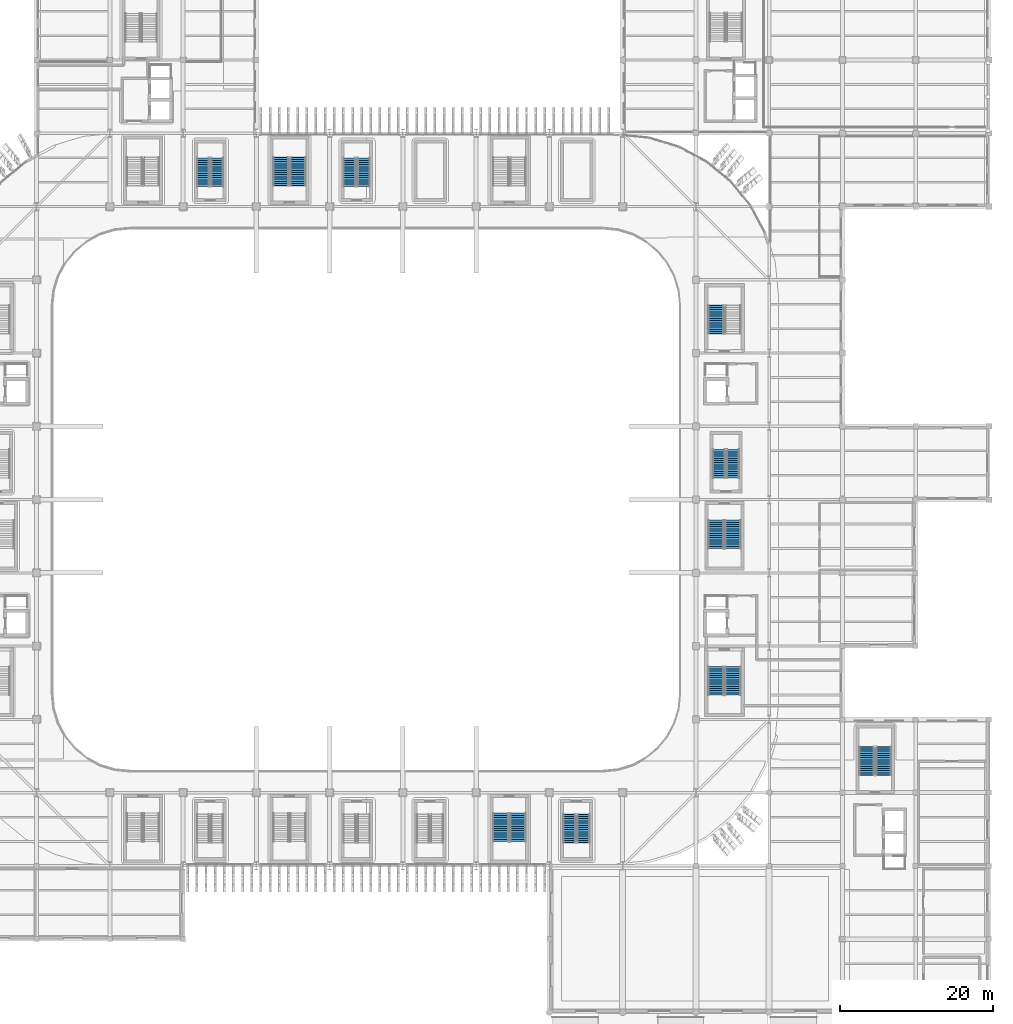
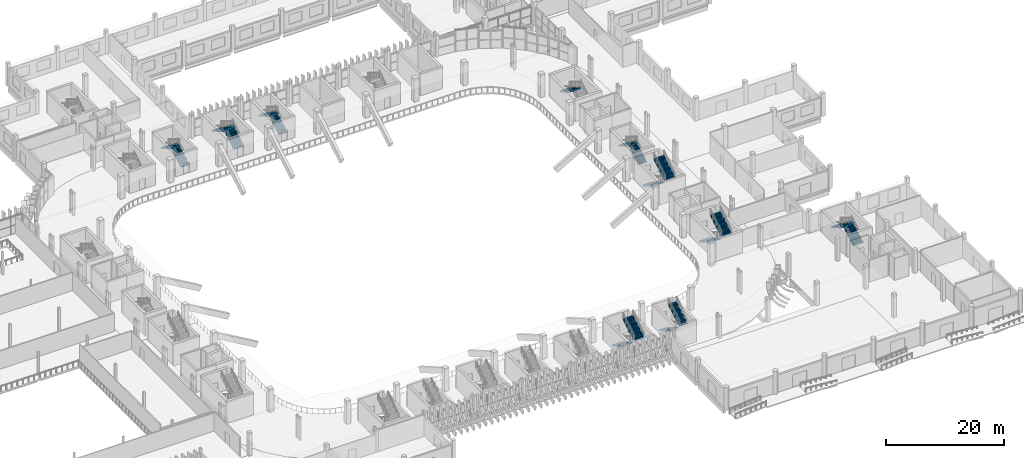
# One storey, part 62 of 100: 19 stair flights, 10 elements without a shape of their own.
"""IFC4 building model written with IfcOpenShell, lengths in metres."""

from ifc_helpers import new_model, si_unit, direction, frame, origin, place, context, subcontext, project, spatial, polyline, outline, extrude, material, type_object, element, aggregate, save


model = new_model("IFC4")

# Units and contexts
model_context = context("Model", 3, precision=1e-05, world=origin(), true_north=direction((0.0, 1.0)))
body_context = subcontext(model_context, "Body", "Model", "MODEL_VIEW")
ifc_project = project(units=[si_unit("LENGTHUNIT", "METRE"), si_unit("AREAUNIT", "SQUARE_METRE"), si_unit("VOLUMEUNIT", "CUBIC_METRE"), si_unit("PLANEANGLEUNIT", "RADIAN"), si_unit("MASSUNIT", "GRAM", prefix="KILO")], contexts=[model_context])

# Site, building, storey
site_placement = place(None, origin())
site = spatial("IfcSite", under=ifc_project, at=site_placement, CompositionType="ELEMENT")
building_placement = place(site_placement, origin())
building = spatial("IfcBuilding", under=site, at=building_placement, Name="Caelomonte Colonnade Arena", CompositionType="ELEMENT")
storey_placement = place(building_placement, origin())
storey = spatial("IfcBuildingStorey", under=building, at=storey_placement, Name="L00", CompositionType="ELEMENT", Elevation=0.0)

# Stair, stair flights
ifc_material_1 = material(Name="Concrete C40/50", Category="concrete")
stair_type_1 = type_object("IfcStairType", Name="INT-ST-CORE48", PredefinedType="HALF_TURN_STAIR", material=ifc_material_1)
stair_1_placement = place(storey_placement, origin())
stair_1 = element("IfcStair", 1, at=stair_1_placement, inside=storey, type_object=stair_type_1, Name="L00 Protected exit stair ST-10", PredefinedType="HALF_TURN_STAIR")
stair_flight_type_1 = type_object("IfcStairFlightType", Name="INT-SF-CORE48", PredefinedType="STRAIGHT", material=ifc_material_1)
stair_flight_1_placement = place(storey_placement, frame((156.22509765625, 64.5, 0.0), z_axis=(0.0, 0.0, 1.0), x_axis=(0.0, -1.0, 0.0)))
stair_flight_1 = element("IfcStairFlight", 2, at=stair_flight_1_placement, type_object=stair_flight_type_1, Name="ST-10 flight 1", NumberOfRisers=14, NumberOfTreads=13, PredefinedType="STRAIGHT", RiserHeight=0.171428571, TreadLength=0.285, context=body_context, shape_type="SweptSolid", body=[
    extrude(outline(polyline([(-0.02490234375, 0.0), (-0.02490234375, 0.102783203125), (0.0, 0.102783203125), (0.0, 0.17138671875), (0.284912109375, 0.17138671875), (0.284912109375, 0.3427734375), (0.570068359375, 0.3427734375), (0.570068359375, 0.514404296875), (0.85498046875, 0.514404296875), (0.85498046875, 0.685791015625), (1.139892578125, 0.685791015625), (1.139892578125, 0.857177734375), (1.425048828125, 0.857177734375), (1.425048828125, 1.028564453125), (1.7099609375, 1.028564453125), (1.7099609375, 1.199951171875), (1.9951171875, 1.199951171875), (1.9951171875, 1.371337890625), (2.280029296875, 1.371337890625), (2.280029296875, 1.54296875), (2.56494140625, 1.54296875), (2.56494140625, 1.71435546875), (2.85009765625, 1.71435546875), (2.85009765625, 1.8857421875), (3.135009765625, 1.8857421875), (3.135009765625, 2.05712890625), (3.419921875, 2.05712890625), (3.419921875, 2.228515625), (3.705078125, 2.228515625), (3.705078125, 2.39990234375), (3.72998046875, 2.39990234375), (3.72998046875, 2.0537109375), (0.290771484375, 0.0), (-0.02490234375, 0.0)])), frame((0.0, 1.02490234375, 0.0), z_axis=(0.0, -1.0, 0.0), x_axis=(1.0, 0.0, 0.0)), (0.0, 0.0, 1.0), 2.050048828125),
])
stair_flight_2_placement = place(storey_placement, frame((158.47509765625, 60.794921875, 2.39990234375), z_axis=(0.0, 0.0, 1.0), x_axis=(0.0, 1.0, 0.0)))
stair_flight_2 = element("IfcStairFlight", 3, at=stair_flight_2_placement, type_object=stair_flight_type_1, Name="ST-10 flight 2", NumberOfRisers=14, NumberOfTreads=13, PredefinedType="STRAIGHT", RiserHeight=0.171428571, TreadLength=0.285, context=body_context, shape_type="SweptSolid", body=[
    extrude(outline(polyline([(-0.02490234375, 0.0), (-0.02490234375, 0.102783203125), (0.0, 0.102783203125), (0.0, 0.17138671875), (0.284912109375, 0.17138671875), (0.284912109375, 0.3427734375), (0.570068359375, 0.3427734375), (0.570068359375, 0.514404296875), (0.85498046875, 0.514404296875), (0.85498046875, 0.685791015625), (1.139892578125, 0.685791015625), (1.139892578125, 0.857177734375), (1.425048828125, 0.857177734375), (1.425048828125, 1.028564453125), (1.7099609375, 1.028564453125), (1.7099609375, 1.199951171875), (1.9951171875, 1.199951171875), (1.9951171875, 1.371337890625), (2.280029296875, 1.371337890625), (2.280029296875, 1.54296875), (2.56494140625, 1.54296875), (2.56494140625, 1.71435546875), (2.85009765625, 1.71435546875), (2.85009765625, 1.8857421875), (3.135009765625, 1.8857421875), (3.135009765625, 2.05712890625), (3.419921875, 2.05712890625), (3.419921875, 2.228515625), (3.705078125, 2.228515625), (3.705078125, 2.39990234375), (3.72998046875, 2.39990234375), (3.72998046875, 2.0537109375), (0.290771484375, 0.0), (-0.02490234375, 0.0)])), frame((0.0, 1.02490234375, 0.0), z_axis=(0.0, -1.0, 0.0), x_axis=(1.0, 0.0, 0.0)), (0.0, 0.0, 1.0), 2.050048828125),
])
aggregate(stair_1, [stair_flight_1, stair_flight_2])

stair_2_placement = place(storey_placement, origin())
stair_2 = element("IfcStair", 4, at=stair_2_placement, inside=storey, type_object=stair_type_1, Name="L00 Protected exit stair ST-13", PredefinedType="HALF_TURN_STAIR")
stair_flight_3_placement = place(storey_placement, frame((128.02490234375, 26.10009765625, 0.0), z_axis=(0.0, 0.0, 1.0), x_axis=(0.0, -1.0, 0.0)))
stair_flight_3 = element("IfcStairFlight", 5, at=stair_flight_3_placement, type_object=stair_flight_type_1, Name="ST-13 flight 1", NumberOfRisers=14, NumberOfTreads=13, PredefinedType="STRAIGHT", RiserHeight=0.171428571, TreadLength=0.285, context=body_context, shape_type="SweptSolid", body=[
    extrude(outline(polyline([(-0.02490234375, 0.0), (-0.02490234375, 0.102783203125), (0.0, 0.102783203125), (0.0, 0.17138671875), (0.284912109375, 0.17138671875), (0.284912109375, 0.3427734375), (0.570068359375, 0.3427734375), (0.570068359375, 0.514404296875), (0.85498046875, 0.514404296875), (0.85498046875, 0.685791015625), (1.139892578125, 0.685791015625), (1.139892578125, 0.857177734375), (1.425048828125, 0.857177734375), (1.425048828125, 1.028564453125), (1.7099609375, 1.028564453125), (1.7099609375, 1.199951171875), (1.9951171875, 1.199951171875), (1.9951171875, 1.371337890625), (2.280029296875, 1.371337890625), (2.280029296875, 1.54296875), (2.56494140625, 1.54296875), (2.56494140625, 1.71435546875), (2.85009765625, 1.71435546875), (2.85009765625, 1.8857421875), (3.135009765625, 1.8857421875), (3.135009765625, 2.05712890625), (3.419921875, 2.05712890625), (3.419921875, 2.228515625), (3.705078125, 2.228515625), (3.705078125, 2.39990234375), (3.72998046875, 2.39990234375), (3.72998046875, 2.0537109375), (0.290771484375, 0.0), (-0.02490234375, 0.0)])), frame((0.0, 1.02490234375, 0.0), z_axis=(0.0, -1.0, 0.0), x_axis=(1.0, 0.0, 0.0)), (0.0, 0.0, 1.0), 2.050048828125),
])
stair_flight_4_placement = place(storey_placement, frame((130.27490234375, 22.39501953125, 2.39990234375), z_axis=(0.0, 0.0, 1.0), x_axis=(0.0, 1.0, 0.0)))
stair_flight_4 = element("IfcStairFlight", 6, at=stair_flight_4_placement, type_object=stair_flight_type_1, Name="ST-13 flight 2", NumberOfRisers=14, NumberOfTreads=13, PredefinedType="STRAIGHT", RiserHeight=0.171428571, TreadLength=0.285, context=body_context, shape_type="SweptSolid", body=[
    extrude(outline(polyline([(-0.02490234375, 0.0), (-0.02490234375, 0.102783203125), (0.0, 0.102783203125), (0.0, 0.17138671875), (0.284912109375, 0.17138671875), (0.284912109375, 0.3427734375), (0.570068359375, 0.3427734375), (0.570068359375, 0.514404296875), (0.85498046875, 0.514404296875), (0.85498046875, 0.685791015625), (1.139892578125, 0.685791015625), (1.139892578125, 0.857177734375), (1.425048828125, 0.857177734375), (1.425048828125, 1.028564453125), (1.7099609375, 1.028564453125), (1.7099609375, 1.199951171875), (1.9951171875, 1.199951171875), (1.9951171875, 1.371337890625), (2.280029296875, 1.371337890625), (2.280029296875, 1.54296875), (2.56494140625, 1.54296875), (2.56494140625, 1.71435546875), (2.85009765625, 1.71435546875), (2.85009765625, 1.8857421875), (3.135009765625, 1.8857421875), (3.135009765625, 2.05712890625), (3.419921875, 2.05712890625), (3.419921875, 2.228515625), (3.705078125, 2.228515625), (3.705078125, 2.39990234375), (3.72998046875, 2.39990234375), (3.72998046875, 2.0537109375), (0.290771484375, 0.0), (-0.02490234375, 0.0)])), frame((0.0, 1.02490234375, 0.0), z_axis=(0.0, -1.0, 0.0), x_axis=(1.0, 0.0, 0.0)), (0.0, 0.0, 1.0), 2.050048828125),
])
aggregate(stair_2, [stair_flight_3, stair_flight_4])

stair_3_placement = place(storey_placement, origin())
stair_3 = element("IfcStair", 7, at=stair_3_placement, inside=storey, type_object=stair_type_1, Name="L00 Protected exit stair ST-15", PredefinedType="HALF_TURN_STAIR")
stair_flight_5_placement = place(storey_placement, frame((101.47509765625, 108.35009765625, 0.0), z_axis=(0.0, 0.0, 1.0), x_axis=(0.0, 1.0, 0.0)))
stair_flight_5 = element("IfcStairFlight", 8, at=stair_flight_5_placement, type_object=stair_flight_type_1, Name="ST-15 flight 1", NumberOfRisers=14, NumberOfTreads=13, PredefinedType="STRAIGHT", RiserHeight=0.171428571, TreadLength=0.285, context=body_context, shape_type="SweptSolid", body=[
    extrude(outline(polyline([(-0.02490234375, 0.0), (-0.02490234375, 0.102783203125), (0.0, 0.102783203125), (0.0, 0.17138671875), (0.284912109375, 0.17138671875), (0.284912109375, 0.3427734375), (0.570068359375, 0.3427734375), (0.570068359375, 0.514404296875), (0.85498046875, 0.514404296875), (0.85498046875, 0.685791015625), (1.139892578125, 0.685791015625), (1.139892578125, 0.857177734375), (1.425048828125, 0.857177734375), (1.425048828125, 1.028564453125), (1.7099609375, 1.028564453125), (1.7099609375, 1.199951171875), (1.9951171875, 1.199951171875), (1.9951171875, 1.371337890625), (2.280029296875, 1.371337890625), (2.280029296875, 1.54296875), (2.56494140625, 1.54296875), (2.56494140625, 1.71435546875), (2.85009765625, 1.71435546875), (2.85009765625, 1.8857421875), (3.135009765625, 1.8857421875), (3.135009765625, 2.05712890625), (3.419921875, 2.05712890625), (3.419921875, 2.228515625), (3.705078125, 2.228515625), (3.705078125, 2.39990234375), (3.72998046875, 2.39990234375), (3.72998046875, 2.0537109375), (0.290771484375, 0.0), (-0.02490234375, 0.0)])), frame((0.0, 1.02490234375, 0.0), z_axis=(0.0, -1.0, 0.0), x_axis=(1.0, 0.0, 0.0)), (0.0, 0.0, 1.0), 2.050048828125),
])
stair_flight_6_placement = place(storey_placement, frame((99.22509765625, 112.054931640625, 2.39990234375), z_axis=(0.0, 0.0, 1.0), x_axis=(0.0, -1.0, 0.0)))
stair_flight_6 = element("IfcStairFlight", 9, at=stair_flight_6_placement, type_object=stair_flight_type_1, Name="ST-15 flight 2", NumberOfRisers=14, NumberOfTreads=13, PredefinedType="STRAIGHT", RiserHeight=0.171428571, TreadLength=0.285, context=body_context, shape_type="SweptSolid", body=[
    extrude(outline(polyline([(-0.02490234375, 0.0), (-0.02490234375, 0.102783203125), (0.0, 0.102783203125), (0.0, 0.17138671875), (0.284912109375, 0.17138671875), (0.284912109375, 0.3427734375), (0.570068359375, 0.3427734375), (0.570068359375, 0.514404296875), (0.85498046875, 0.514404296875), (0.85498046875, 0.685791015625), (1.139892578125, 0.685791015625), (1.139892578125, 0.857177734375), (1.425048828125, 0.857177734375), (1.425048828125, 1.028564453125), (1.7099609375, 1.028564453125), (1.7099609375, 1.199951171875), (1.9951171875, 1.199951171875), (1.9951171875, 1.371337890625), (2.280029296875, 1.371337890625), (2.280029296875, 1.54296875), (2.56494140625, 1.54296875), (2.56494140625, 1.71435546875), (2.85009765625, 1.71435546875), (2.85009765625, 1.8857421875), (3.135009765625, 1.8857421875), (3.135009765625, 2.05712890625), (3.419921875, 2.05712890625), (3.419921875, 2.228515625), (3.705078125, 2.228515625), (3.705078125, 2.39990234375), (3.72998046875, 2.39990234375), (3.72998046875, 2.0537109375), (0.290771484375, 0.0), (-0.02490234375, 0.0)])), frame((0.0, 1.02490234375, 0.0), z_axis=(0.0, -1.0, 0.0), x_axis=(1.0, 0.0, 0.0)), (0.0, 0.0, 1.0), 2.050048828125),
])
aggregate(stair_3, [stair_flight_5, stair_flight_6])

ifc_material_2 = material(Name="Precast concrete C40/50", Category="concrete")
stair_type_2 = type_object("IfcStairType", Name="INT-ST-VOML", PredefinedType="HALF_TURN_STAIR", material=ifc_material_2)
stair_4_placement = place(storey_placement, origin())
stair_4 = element("IfcStair", 10, at=stair_4_placement, inside=storey, type_object=stair_type_2, Name="L00 Vomitory VOM-04 aisle stair ST-V04", PredefinedType="HALF_TURN_STAIR")
stair_flight_type_2 = type_object("IfcStairFlightType", Name="INT-SF-VOML", PredefinedType="STRAIGHT", material=ifc_material_2)
stair_flight_7_placement = place(storey_placement, frame((137.02490234375, 25.949951171875, 0.0), z_axis=(0.0, 0.0, 1.0), x_axis=(0.0, -1.0, 0.0)))
stair_flight_7 = element("IfcStairFlight", 11, at=stair_flight_7_placement, type_object=stair_flight_type_2, Name="ST-V04 flight 1", NumberOfRisers=14, NumberOfTreads=13, PredefinedType="STRAIGHT", RiserHeight=0.171428571, TreadLength=0.285, context=body_context, shape_type="SweptSolid", body=[
    extrude(outline(polyline([(-0.02490234375, 0.0), (-0.02490234375, 0.102783203125), (0.0, 0.102783203125), (0.0, 0.17138671875), (0.284912109375, 0.17138671875), (0.284912109375, 0.3427734375), (0.570068359375, 0.3427734375), (0.570068359375, 0.514404296875), (0.85498046875, 0.514404296875), (0.85498046875, 0.685791015625), (1.139892578125, 0.685791015625), (1.139892578125, 0.857177734375), (1.425048828125, 0.857177734375), (1.425048828125, 1.028564453125), (1.7099609375, 1.028564453125), (1.7099609375, 1.199951171875), (1.9951171875, 1.199951171875), (1.9951171875, 1.371337890625), (2.280029296875, 1.371337890625), (2.280029296875, 1.54296875), (2.56494140625, 1.54296875), (2.56494140625, 1.71435546875), (2.85009765625, 1.71435546875), (2.85009765625, 1.8857421875), (3.135009765625, 1.8857421875), (3.135009765625, 2.05712890625), (3.419921875, 2.05712890625), (3.419921875, 2.228515625), (3.705078125, 2.228515625), (3.705078125, 2.39990234375), (3.72998046875, 2.39990234375), (3.72998046875, 2.0537109375), (0.290771484375, 0.0), (-0.02490234375, 0.0)])), frame((0.0, 0.824951171875, 0.0), z_axis=(0.0, -1.0, 0.0), x_axis=(1.0, 0.0, 0.0)), (0.0, 0.0, 1.0), 1.64990234375),
])
stair_flight_8_placement = place(storey_placement, frame((138.875, 22.2451171875, 2.39990234375), z_axis=(0.0, 0.0, 1.0), x_axis=(0.0, 1.0, 0.0)))
stair_flight_8 = element("IfcStairFlight", 12, at=stair_flight_8_placement, type_object=stair_flight_type_2, Name="ST-V04 flight 2", NumberOfRisers=14, NumberOfTreads=13, PredefinedType="STRAIGHT", RiserHeight=0.171428571, TreadLength=0.285, context=body_context, shape_type="SweptSolid", body=[
    extrude(outline(polyline([(-0.02490234375, 0.0), (-0.02490234375, 0.102783203125), (0.0, 0.102783203125), (0.0, 0.17138671875), (0.284912109375, 0.17138671875), (0.284912109375, 0.3427734375), (0.570068359375, 0.3427734375), (0.570068359375, 0.514404296875), (0.85498046875, 0.514404296875), (0.85498046875, 0.685791015625), (1.139892578125, 0.685791015625), (1.139892578125, 0.857177734375), (1.425048828125, 0.857177734375), (1.425048828125, 1.028564453125), (1.7099609375, 1.028564453125), (1.7099609375, 1.199951171875), (1.9951171875, 1.199951171875), (1.9951171875, 1.371337890625), (2.280029296875, 1.371337890625), (2.280029296875, 1.54296875), (2.56494140625, 1.54296875), (2.56494140625, 1.71435546875), (2.85009765625, 1.71435546875), (2.85009765625, 1.8857421875), (3.135009765625, 1.8857421875), (3.135009765625, 2.05712890625), (3.419921875, 2.05712890625), (3.419921875, 2.228515625), (3.705078125, 2.228515625), (3.705078125, 2.39990234375), (3.72998046875, 2.39990234375), (3.72998046875, 2.0537109375), (0.290771484375, 0.0), (-0.02490234375, 0.0)])), frame((0.0, 0.824951171875, 0.0), z_axis=(0.0, -1.0, 0.0), x_axis=(1.0, 0.0, 0.0)), (0.0, 0.0, 1.0), 1.64990234375),
])
aggregate(stair_4, [stair_flight_7, stair_flight_8])

stair_5_placement = place(storey_placement, origin())
stair_5 = element("IfcStair", 13, at=stair_5_placement, inside=storey, type_object=stair_type_2, Name="L00 Vomitory VOM-05 aisle stair ST-V05", PredefinedType="HALF_TURN_STAIR")
stair_flight_9_placement = place(storey_placement, frame((90.875, 108.25, 0.0), z_axis=(0.0, 0.0, 1.0), x_axis=(0.0, 1.0, 0.0)))
stair_flight_9 = element("IfcStairFlight", 14, at=stair_flight_9_placement, type_object=stair_flight_type_2, Name="ST-V05 flight 1", NumberOfRisers=14, NumberOfTreads=13, PredefinedType="STRAIGHT", RiserHeight=0.171428571, TreadLength=0.285, context=body_context, shape_type="SweptSolid", body=[
    extrude(outline(polyline([(-0.02490234375, 0.0), (-0.02490234375, 0.102783203125), (0.0, 0.102783203125), (0.0, 0.17138671875), (0.284912109375, 0.17138671875), (0.284912109375, 0.3427734375), (0.570068359375, 0.3427734375), (0.570068359375, 0.514404296875), (0.85498046875, 0.514404296875), (0.85498046875, 0.685791015625), (1.139892578125, 0.685791015625), (1.139892578125, 0.857177734375), (1.425048828125, 0.857177734375), (1.425048828125, 1.028564453125), (1.7099609375, 1.028564453125), (1.7099609375, 1.199951171875), (1.9951171875, 1.199951171875), (1.9951171875, 1.371337890625), (2.280029296875, 1.371337890625), (2.280029296875, 1.54296875), (2.56494140625, 1.54296875), (2.56494140625, 1.71435546875), (2.85009765625, 1.71435546875), (2.85009765625, 1.8857421875), (3.135009765625, 1.8857421875), (3.135009765625, 2.05712890625), (3.419921875, 2.05712890625), (3.419921875, 2.228515625), (3.705078125, 2.228515625), (3.705078125, 2.39990234375), (3.72998046875, 2.39990234375), (3.72998046875, 2.0537109375), (0.290771484375, 0.0), (-0.02490234375, 0.0)])), frame((0.0, 0.824951171875, 0.0), z_axis=(0.0, -1.0, 0.0), x_axis=(1.0, 0.0, 0.0)), (0.0, 0.0, 1.0), 1.64990234375),
])
stair_flight_10_placement = place(storey_placement, frame((89.02490234375, 111.955078125, 2.39990234375), z_axis=(0.0, 0.0, 1.0), x_axis=(0.0, -1.0, 0.0)))
stair_flight_10 = element("IfcStairFlight", 15, at=stair_flight_10_placement, type_object=stair_flight_type_2, Name="ST-V05 flight 2", NumberOfRisers=14, NumberOfTreads=13, PredefinedType="STRAIGHT", RiserHeight=0.171428571, TreadLength=0.285, context=body_context, shape_type="SweptSolid", body=[
    extrude(outline(polyline([(-0.02490234375, 0.0), (-0.02490234375, 0.102783203125), (0.0, 0.102783203125), (0.0, 0.17138671875), (0.284912109375, 0.17138671875), (0.284912109375, 0.3427734375), (0.570068359375, 0.3427734375), (0.570068359375, 0.514404296875), (0.85498046875, 0.514404296875), (0.85498046875, 0.685791015625), (1.139892578125, 0.685791015625), (1.139892578125, 0.857177734375), (1.425048828125, 0.857177734375), (1.425048828125, 1.028564453125), (1.7099609375, 1.028564453125), (1.7099609375, 1.199951171875), (1.9951171875, 1.199951171875), (1.9951171875, 1.371337890625), (2.280029296875, 1.371337890625), (2.280029296875, 1.54296875), (2.56494140625, 1.54296875), (2.56494140625, 1.71435546875), (2.85009765625, 1.71435546875), (2.85009765625, 1.8857421875), (3.135009765625, 1.8857421875), (3.135009765625, 2.05712890625), (3.419921875, 2.05712890625), (3.419921875, 2.228515625), (3.705078125, 2.228515625), (3.705078125, 2.39990234375), (3.72998046875, 2.39990234375), (3.72998046875, 2.0537109375), (0.290771484375, 0.0), (-0.02490234375, 0.0)])), frame((0.0, 0.824951171875, 0.0), z_axis=(0.0, -1.0, 0.0), x_axis=(1.0, 0.0, 0.0)), (0.0, 0.0, 1.0), 1.64990234375),
])
aggregate(stair_5, [stair_flight_9, stair_flight_10])

stair_6_placement = place(storey_placement, origin())
stair_6 = element("IfcStair", 16, at=stair_6_placement, inside=storey, type_object=stair_type_2, Name="L00 Vomitory VOM-06 aisle stair ST-V06", PredefinedType="HALF_TURN_STAIR")
stair_flight_11_placement = place(storey_placement, frame((110.074951171875, 108.25, 0.0), z_axis=(0.0, 0.0, 1.0), x_axis=(0.0, 1.0, 0.0)))
stair_flight_11 = element("IfcStairFlight", 17, at=stair_flight_11_placement, type_object=stair_flight_type_2, Name="ST-V06 flight 1", NumberOfRisers=14, NumberOfTreads=13, PredefinedType="STRAIGHT", RiserHeight=0.171428571, TreadLength=0.285, context=body_context, shape_type="SweptSolid", body=[
    extrude(outline(polyline([(-0.02490234375, 0.0), (-0.02490234375, 0.102783203125), (0.0, 0.102783203125), (0.0, 0.17138671875), (0.284912109375, 0.17138671875), (0.284912109375, 0.3427734375), (0.570068359375, 0.3427734375), (0.570068359375, 0.514404296875), (0.85498046875, 0.514404296875), (0.85498046875, 0.685791015625), (1.139892578125, 0.685791015625), (1.139892578125, 0.857177734375), (1.425048828125, 0.857177734375), (1.425048828125, 1.028564453125), (1.7099609375, 1.028564453125), (1.7099609375, 1.199951171875), (1.9951171875, 1.199951171875), (1.9951171875, 1.371337890625), (2.280029296875, 1.371337890625), (2.280029296875, 1.54296875), (2.56494140625, 1.54296875), (2.56494140625, 1.71435546875), (2.85009765625, 1.71435546875), (2.85009765625, 1.8857421875), (3.135009765625, 1.8857421875), (3.135009765625, 2.05712890625), (3.419921875, 2.05712890625), (3.419921875, 2.228515625), (3.705078125, 2.228515625), (3.705078125, 2.39990234375), (3.72998046875, 2.39990234375), (3.72998046875, 2.0537109375), (0.290771484375, 0.0), (-0.02490234375, 0.0)])), frame((0.0, 0.824951171875, 0.0), z_axis=(0.0, -1.0, 0.0), x_axis=(1.0, 0.0, 0.0)), (0.0, 0.0, 1.0), 1.64990234375),
])
stair_flight_12_placement = place(storey_placement, frame((108.22509765625, 111.955078125, 2.39990234375), z_axis=(0.0, 0.0, 1.0), x_axis=(0.0, -1.0, 0.0)))
stair_flight_12 = element("IfcStairFlight", 18, at=stair_flight_12_placement, type_object=stair_flight_type_2, Name="ST-V06 flight 2", NumberOfRisers=14, NumberOfTreads=13, PredefinedType="STRAIGHT", RiserHeight=0.171428571, TreadLength=0.285, context=body_context, shape_type="SweptSolid", body=[
    extrude(outline(polyline([(-0.02490234375, 0.0), (-0.02490234375, 0.102783203125), (0.0, 0.102783203125), (0.0, 0.17138671875), (0.284912109375, 0.17138671875), (0.284912109375, 0.3427734375), (0.570068359375, 0.3427734375), (0.570068359375, 0.514404296875), (0.85498046875, 0.514404296875), (0.85498046875, 0.685791015625), (1.139892578125, 0.685791015625), (1.139892578125, 0.857177734375), (1.425048828125, 0.857177734375), (1.425048828125, 1.028564453125), (1.7099609375, 1.028564453125), (1.7099609375, 1.199951171875), (1.9951171875, 1.199951171875), (1.9951171875, 1.371337890625), (2.280029296875, 1.371337890625), (2.280029296875, 1.54296875), (2.56494140625, 1.54296875), (2.56494140625, 1.71435546875), (2.85009765625, 1.71435546875), (2.85009765625, 1.8857421875), (3.135009765625, 1.8857421875), (3.135009765625, 2.05712890625), (3.419921875, 2.05712890625), (3.419921875, 2.228515625), (3.705078125, 2.228515625), (3.705078125, 2.39990234375), (3.72998046875, 2.39990234375), (3.72998046875, 2.0537109375), (0.290771484375, 0.0), (-0.02490234375, 0.0)])), frame((0.0, 0.824951171875, 0.0), z_axis=(0.0, -1.0, 0.0), x_axis=(1.0, 0.0, 0.0)), (0.0, 0.0, 1.0), 1.64990234375),
])
aggregate(stair_6, [stair_flight_11, stair_flight_12])

stair_7_placement = place(storey_placement, origin())
stair_7 = element("IfcStair", 19, at=stair_7_placement, inside=storey, type_object=stair_type_2, Name="L00 Vomitory VOM-08 aisle stair ST-V08", PredefinedType="HALF_TURN_STAIR")
stair_flight_13_placement = place(storey_placement, frame((158.47509765625, 70.050048828125, 0.0), z_axis=(0.0, 0.0, 1.0), x_axis=(0.0, 1.0, 0.0)))
stair_flight_13 = element("IfcStairFlight", 20, at=stair_flight_13_placement, type_object=stair_flight_type_2, Name="ST-V08 flight 1", NumberOfRisers=14, NumberOfTreads=13, PredefinedType="STRAIGHT", RiserHeight=0.171428571, TreadLength=0.285, context=body_context, shape_type="SweptSolid", body=[
    extrude(outline(polyline([(-0.02490234375, 0.0), (-0.02490234375, 0.102783203125), (0.0, 0.102783203125), (0.0, 0.17138671875), (0.284912109375, 0.17138671875), (0.284912109375, 0.3427734375), (0.570068359375, 0.3427734375), (0.570068359375, 0.514404296875), (0.85498046875, 0.514404296875), (0.85498046875, 0.685791015625), (1.139892578125, 0.685791015625), (1.139892578125, 0.857177734375), (1.425048828125, 0.857177734375), (1.425048828125, 1.028564453125), (1.7099609375, 1.028564453125), (1.7099609375, 1.199951171875), (1.9951171875, 1.199951171875), (1.9951171875, 1.371337890625), (2.280029296875, 1.371337890625), (2.280029296875, 1.54296875), (2.56494140625, 1.54296875), (2.56494140625, 1.71435546875), (2.85009765625, 1.71435546875), (2.85009765625, 1.8857421875), (3.135009765625, 1.8857421875), (3.135009765625, 2.05712890625), (3.419921875, 2.05712890625), (3.419921875, 2.228515625), (3.705078125, 2.228515625), (3.705078125, 2.39990234375), (3.72998046875, 2.39990234375), (3.72998046875, 2.0537109375), (0.290771484375, 0.0), (-0.02490234375, 0.0)])), frame((0.0, 0.824951171875, 0.0), z_axis=(0.0, -1.0, 0.0), x_axis=(1.0, 0.0, 0.0)), (0.0, 0.0, 1.0), 1.64990234375),
])
stair_flight_14_placement = place(storey_placement, frame((156.625, 73.7548828125, 2.39990234375), z_axis=(0.0, 0.0, 1.0), x_axis=(0.0, -1.0, 0.0)))
stair_flight_14 = element("IfcStairFlight", 21, at=stair_flight_14_placement, type_object=stair_flight_type_2, Name="ST-V08 flight 2", NumberOfRisers=14, NumberOfTreads=13, PredefinedType="STRAIGHT", RiserHeight=0.171428571, TreadLength=0.285, context=body_context, shape_type="SweptSolid", body=[
    extrude(outline(polyline([(-0.02490234375, 0.0), (-0.02490234375, 0.102783203125), (0.0, 0.102783203125), (0.0, 0.17138671875), (0.284912109375, 0.17138671875), (0.284912109375, 0.3427734375), (0.570068359375, 0.3427734375), (0.570068359375, 0.514404296875), (0.85498046875, 0.514404296875), (0.85498046875, 0.685791015625), (1.139892578125, 0.685791015625), (1.139892578125, 0.857177734375), (1.425048828125, 0.857177734375), (1.425048828125, 1.028564453125), (1.7099609375, 1.028564453125), (1.7099609375, 1.199951171875), (1.9951171875, 1.199951171875), (1.9951171875, 1.371337890625), (2.280029296875, 1.371337890625), (2.280029296875, 1.54296875), (2.56494140625, 1.54296875), (2.56494140625, 1.71435546875), (2.85009765625, 1.71435546875), (2.85009765625, 1.8857421875), (3.135009765625, 1.8857421875), (3.135009765625, 2.05712890625), (3.419921875, 2.05712890625), (3.419921875, 2.228515625), (3.705078125, 2.228515625), (3.705078125, 2.39990234375), (3.72998046875, 2.39990234375), (3.72998046875, 2.0537109375), (0.290771484375, 0.0), (-0.02490234375, 0.0)])), frame((0.0, 0.824951171875, 0.0), z_axis=(0.0, -1.0, 0.0), x_axis=(1.0, 0.0, 0.0)), (0.0, 0.0, 1.0), 1.64990234375),
])
aggregate(stair_7, [stair_flight_13, stair_flight_14])

stair_type_3 = type_object("IfcStairType", Name="INT-ST-WING48", PredefinedType="HALF_TURN_STAIR", material=ifc_material_1)
stair_8_placement = place(storey_placement, origin())
stair_8 = element("IfcStair", 22, at=stair_8_placement, inside=storey, type_object=stair_type_3, Name="L00 Core C2 exit stair ST-02", PredefinedType="HALF_TURN_STAIR")
stair_flight_type_3 = type_object("IfcStairFlightType", Name="INT-SF-WING48", PredefinedType="STRAIGHT", material=ifc_material_1)
stair_flight_15_placement = place(storey_placement, frame((156.22509765625, 45.300048828125, 0.0), z_axis=(0.0, 0.0, 1.0), x_axis=(0.0, -1.0, 0.0)))
stair_flight_15 = element("IfcStairFlight", 23, at=stair_flight_15_placement, type_object=stair_flight_type_3, Name="ST-02 flight 1", NumberOfRisers=14, NumberOfTreads=13, PredefinedType="STRAIGHT", RiserHeight=0.171428571, TreadLength=0.285, context=body_context, shape_type="SweptSolid", body=[
    extrude(outline(polyline([(-0.02490234375, 0.0), (-0.02490234375, 0.102783203125), (0.0, 0.102783203125), (0.0, 0.17138671875), (0.284912109375, 0.17138671875), (0.284912109375, 0.3427734375), (0.570068359375, 0.3427734375), (0.570068359375, 0.514404296875), (0.85498046875, 0.514404296875), (0.85498046875, 0.685791015625), (1.139892578125, 0.685791015625), (1.139892578125, 0.857177734375), (1.425048828125, 0.857177734375), (1.425048828125, 1.028564453125), (1.7099609375, 1.028564453125), (1.7099609375, 1.199951171875), (1.9951171875, 1.199951171875), (1.9951171875, 1.371337890625), (2.280029296875, 1.371337890625), (2.280029296875, 1.54296875), (2.56494140625, 1.54296875), (2.56494140625, 1.71435546875), (2.85009765625, 1.71435546875), (2.85009765625, 1.8857421875), (3.135009765625, 1.8857421875), (3.135009765625, 2.05712890625), (3.419921875, 2.05712890625), (3.419921875, 2.228515625), (3.705078125, 2.228515625), (3.705078125, 2.39990234375), (3.72998046875, 2.39990234375), (3.72998046875, 2.0537109375), (0.290771484375, 0.0), (-0.02490234375, 0.0)])), frame((0.0, 1.02490234375, 0.0), z_axis=(0.0, -1.0, 0.0), x_axis=(1.0, 0.0, 0.0)), (0.0, 0.0, 1.0), 2.050048828125),
])
stair_flight_16_placement = place(storey_placement, frame((158.47509765625, 41.594970703125, 2.39990234375), z_axis=(0.0, 0.0, 1.0), x_axis=(0.0, 1.0, 0.0)))
stair_flight_16 = element("IfcStairFlight", 24, at=stair_flight_16_placement, type_object=stair_flight_type_3, Name="ST-02 flight 2", NumberOfRisers=14, NumberOfTreads=13, PredefinedType="STRAIGHT", RiserHeight=0.171428571, TreadLength=0.285, context=body_context, shape_type="SweptSolid", body=[
    extrude(outline(polyline([(-0.02490234375, 0.0), (-0.02490234375, 0.102783203125), (0.0, 0.102783203125), (0.0, 0.17138671875), (0.284912109375, 0.17138671875), (0.284912109375, 0.3427734375), (0.570068359375, 0.3427734375), (0.570068359375, 0.514404296875), (0.85498046875, 0.514404296875), (0.85498046875, 0.685791015625), (1.139892578125, 0.685791015625), (1.139892578125, 0.857177734375), (1.425048828125, 0.857177734375), (1.425048828125, 1.028564453125), (1.7099609375, 1.028564453125), (1.7099609375, 1.199951171875), (1.9951171875, 1.199951171875), (1.9951171875, 1.371337890625), (2.280029296875, 1.371337890625), (2.280029296875, 1.54296875), (2.56494140625, 1.54296875), (2.56494140625, 1.71435546875), (2.85009765625, 1.71435546875), (2.85009765625, 1.8857421875), (3.135009765625, 1.8857421875), (3.135009765625, 2.05712890625), (3.419921875, 2.05712890625), (3.419921875, 2.228515625), (3.705078125, 2.228515625), (3.705078125, 2.39990234375), (3.72998046875, 2.39990234375), (3.72998046875, 2.0537109375), (0.290771484375, 0.0), (-0.02490234375, 0.0)])), frame((0.0, 1.02490234375, 0.0), z_axis=(0.0, -1.0, 0.0), x_axis=(1.0, 0.0, 0.0)), (0.0, 0.0, 1.0), 2.050048828125),
])
aggregate(stair_8, [stair_flight_15, stair_flight_16])

# Stair, stair flight
stair_9_placement = place(storey_placement, origin())
stair_9 = element("IfcStair", 25, at=stair_9_placement, inside=storey, type_object=stair_type_3, Name="L00 Core C3 exit stair ST-03", PredefinedType="HALF_TURN_STAIR")
stair_flight_17_placement = place(storey_placement, frame((156.22509765625, 92.655029296875, 2.39990234375), z_axis=(0.0, 0.0, 1.0), x_axis=(0.0, -1.0, 0.0)))
stair_flight_17 = element("IfcStairFlight", 26, at=stair_flight_17_placement, type_object=stair_flight_type_3, Name="ST-03 flight 2", NumberOfRisers=14, NumberOfTreads=13, PredefinedType="STRAIGHT", RiserHeight=0.171428571, TreadLength=0.285, context=body_context, shape_type="SweptSolid", body=[
    extrude(outline(polyline([(-0.02490234375, 0.0), (-0.02490234375, 0.102783203125), (0.0, 0.102783203125), (0.0, 0.17138671875), (0.284912109375, 0.17138671875), (0.284912109375, 0.3427734375), (0.570068359375, 0.3427734375), (0.570068359375, 0.514404296875), (0.85498046875, 0.514404296875), (0.85498046875, 0.685791015625), (1.139892578125, 0.685791015625), (1.139892578125, 0.857177734375), (1.425048828125, 0.857177734375), (1.425048828125, 1.028564453125), (1.7099609375, 1.028564453125), (1.7099609375, 1.199951171875), (1.9951171875, 1.199951171875), (1.9951171875, 1.371337890625), (2.280029296875, 1.371337890625), (2.280029296875, 1.54296875), (2.56494140625, 1.54296875), (2.56494140625, 1.71435546875), (2.85009765625, 1.71435546875), (2.85009765625, 1.8857421875), (3.135009765625, 1.8857421875), (3.135009765625, 2.05712890625), (3.419921875, 2.05712890625), (3.419921875, 2.228515625), (3.705078125, 2.228515625), (3.705078125, 2.39990234375), (3.72998046875, 2.39990234375), (3.72998046875, 2.0537109375), (0.290771484375, 0.0), (-0.02490234375, 0.0)])), frame((0.0, 1.02490234375, 0.0), z_axis=(0.0, -1.0, 0.0), x_axis=(1.0, 0.0, 0.0)), (0.0, 0.0, 1.0), 2.050048828125),
])
aggregate(stair_9, [stair_flight_17])

# Stair, stair flights
stair_10_placement = place(storey_placement, origin())
stair_10 = element("IfcStair", 27, at=stair_10_placement, inside=storey, type_object=stair_type_3, Name="L00 Core C5 exit stair ST-05", PredefinedType="HALF_TURN_STAIR")
stair_flight_18_placement = place(storey_placement, frame((178.199951171875, 31.10009765625, 0.0), z_axis=(0.0, 0.0, 1.0), x_axis=(0.0, 1.0, 0.0)))
stair_flight_18 = element("IfcStairFlight", 28, at=stair_flight_18_placement, type_object=stair_flight_type_3, Name="ST-05 flight 1", NumberOfRisers=14, NumberOfTreads=13, PredefinedType="STRAIGHT", RiserHeight=0.171428571, TreadLength=0.285, context=body_context, shape_type="SweptSolid", body=[
    extrude(outline(polyline([(-0.02490234375, 0.0), (-0.02490234375, 0.102783203125), (0.0, 0.102783203125), (0.0, 0.17138671875), (0.284912109375, 0.17138671875), (0.284912109375, 0.3427734375), (0.570068359375, 0.3427734375), (0.570068359375, 0.514404296875), (0.85498046875, 0.514404296875), (0.85498046875, 0.685791015625), (1.139892578125, 0.685791015625), (1.139892578125, 0.857177734375), (1.425048828125, 0.857177734375), (1.425048828125, 1.028564453125), (1.7099609375, 1.028564453125), (1.7099609375, 1.199951171875), (1.9951171875, 1.199951171875), (1.9951171875, 1.371337890625), (2.280029296875, 1.371337890625), (2.280029296875, 1.54296875), (2.56494140625, 1.54296875), (2.56494140625, 1.71435546875), (2.85009765625, 1.71435546875), (2.85009765625, 1.8857421875), (3.135009765625, 1.8857421875), (3.135009765625, 2.05712890625), (3.419921875, 2.05712890625), (3.419921875, 2.228515625), (3.705078125, 2.228515625), (3.705078125, 2.39990234375), (3.72998046875, 2.39990234375), (3.72998046875, 2.0537109375), (0.290771484375, 0.0), (-0.02490234375, 0.0)])), frame((0.0, 1.0, 0.0), z_axis=(0.0, -1.0, 0.0), x_axis=(1.0, 0.0, 0.0)), (0.0, 0.0, 1.0), 2.0),
])
stair_flight_19_placement = place(storey_placement, frame((176.0, 34.804931640625, 2.39990234375), z_axis=(0.0, 0.0, 1.0), x_axis=(0.0, -1.0, 0.0)))
stair_flight_19 = element("IfcStairFlight", 29, at=stair_flight_19_placement, type_object=stair_flight_type_3, Name="ST-05 flight 2", NumberOfRisers=14, NumberOfTreads=13, PredefinedType="STRAIGHT", RiserHeight=0.171428571, TreadLength=0.285, context=body_context, shape_type="SweptSolid", body=[
    extrude(outline(polyline([(-0.02490234375, 0.0), (-0.02490234375, 0.102783203125), (0.0, 0.102783203125), (0.0, 0.17138671875), (0.284912109375, 0.17138671875), (0.284912109375, 0.3427734375), (0.570068359375, 0.3427734375), (0.570068359375, 0.514404296875), (0.85498046875, 0.514404296875), (0.85498046875, 0.685791015625), (1.139892578125, 0.685791015625), (1.139892578125, 0.857177734375), (1.425048828125, 0.857177734375), (1.425048828125, 1.028564453125), (1.7099609375, 1.028564453125), (1.7099609375, 1.199951171875), (1.9951171875, 1.199951171875), (1.9951171875, 1.371337890625), (2.280029296875, 1.371337890625), (2.280029296875, 1.54296875), (2.56494140625, 1.54296875), (2.56494140625, 1.71435546875), (2.85009765625, 1.71435546875), (2.85009765625, 1.8857421875), (3.135009765625, 1.8857421875), (3.135009765625, 2.05712890625), (3.419921875, 2.05712890625), (3.419921875, 2.228515625), (3.705078125, 2.228515625), (3.705078125, 2.39990234375), (3.72998046875, 2.39990234375), (3.72998046875, 2.0537109375), (0.290771484375, 0.0), (-0.02490234375, 0.0)])), frame((0.0, 1.0, 0.0), z_axis=(0.0, -1.0, 0.0), x_axis=(1.0, 0.0, 0.0)), (0.0, 0.0, 1.0), 2.0),
])
aggregate(stair_10, [stair_flight_18, stair_flight_19])

save(model, "model.ifc")
